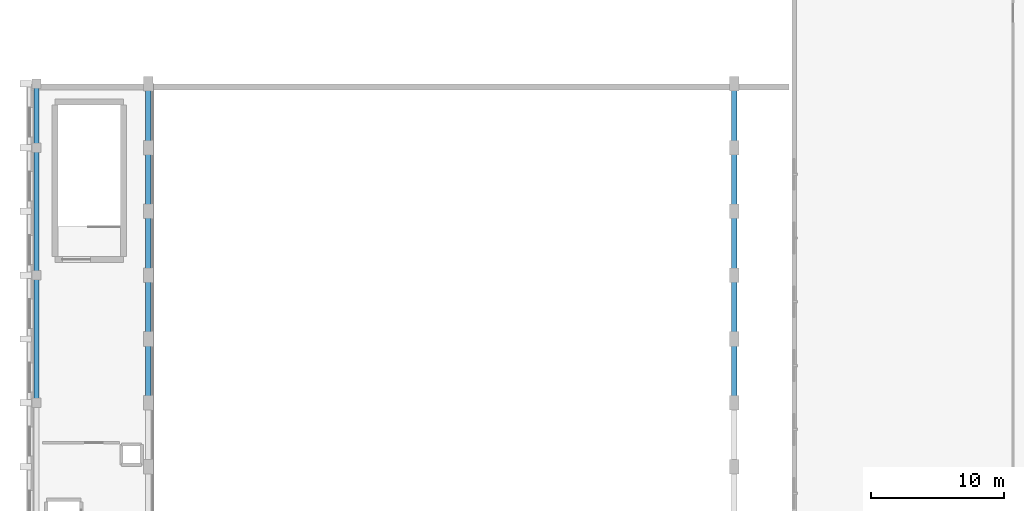
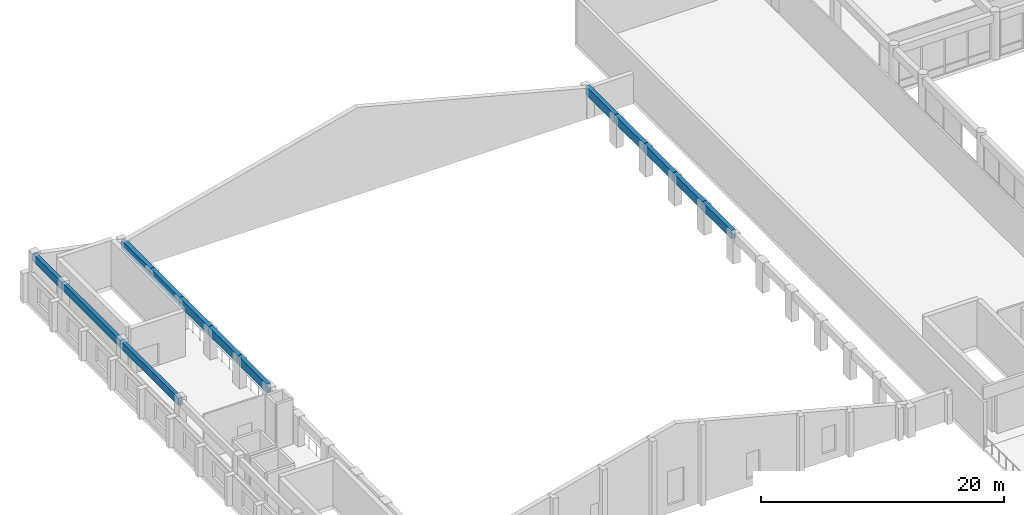
# One storey, part 17 of 101: 13 beams.
"""IFC4 building model written with IfcOpenShell, lengths in metres."""

from ifc_helpers import new_model, si_unit, direction, frame, origin, origin_2d, place, context, subcontext, project, spatial, rectangle, extrude, material, material_profile, profile_set, type_object, element, save


model = new_model("IFC4")

# Units and contexts
model_context = context("Model", 3, precision=1e-05, world=origin(), true_north=direction((0.0, 1.0)))
body_context = subcontext(model_context, "Body", "Model", "MODEL_VIEW")
ifc_project = project(units=[si_unit("LENGTHUNIT", "METRE"), si_unit("AREAUNIT", "SQUARE_METRE"), si_unit("VOLUMEUNIT", "CUBIC_METRE"), si_unit("PLANEANGLEUNIT", "RADIAN"), si_unit("MASSUNIT", "GRAM", prefix="KILO")], contexts=[model_context])

# Site, building, storey
site_placement = place(None, origin())
site = spatial("IfcSite", under=ifc_project, at=site_placement, CompositionType="ELEMENT")
building_placement = place(site_placement, origin())
building = spatial("IfcBuilding", under=site, at=building_placement, Name="Nakhvara Creek Congress Hotel", CompositionType="ELEMENT")
storey_placement = place(building_placement, frame((0.0, 0.0, 16.199951171875)))
storey = spatial("IfcBuildingStorey", under=building, at=storey_placement, Name="L03", CompositionType="ELEMENT", Elevation=16.199951171875)

# Beams
ifc_material_1 = material(Name="Concrete C40/50", Category="concrete")
ifc_material_profile_1 = material_profile(ifc_material_1, rectangle(XDim=0.35009765625, YDim=0.75, at=origin_2d()), Name="RC-SPANDREL 350x750", Category="LoadBearing")
ifc_profile_set_1 = profile_set([ifc_material_profile_1], Name="Concrete C40/50")
beam_type_1 = type_object("IfcBeamType", Name="BM-SPN-350X750", PredefinedType="SPANDREL", material=ifc_profile_set_1)
for number, where, z_axis, x_axis, name in (
    (1, (0.75, 62.39990234375, 4.1650390625), (0.0, 1.0, 0.0), (-1.0, 0.0, 0.0), "Beam SP1-L03-1697"),
    (2, (0.75, 72.0, 4.1650390625), (0.0, 1.0, 0.0), (-1.0, 0.0, 0.0), "Beam SP1-L03-1698"),
):
    element("IfcBeam", number, at=place(storey_placement, frame(where, z_axis=z_axis, x_axis=x_axis)), inside=storey, type_object=beam_type_1, Name=name, PredefinedType="SPANDREL", context=body_context, shape_type="SweptSolid", body=[
        extrude(rectangle(XDim=0.35009765625, YDim=0.75, at=origin_2d()), origin(), (0.0, 0.0, 1.0), 9.60009765625),
    ])
beam_1_placement = place(storey_placement, frame((0.75, 81.60009765625, 4.1650390625), z_axis=(0.0, 1.0, 0.0), x_axis=(-1.0, 0.0, 0.0)))
element("IfcBeam", 3, at=beam_1_placement, inside=storey, type_object=beam_type_1, Name="Beam SP1-L03-1699", PredefinedType="SPANDREL", context=body_context, shape_type="SweptSolid", body=[
    extrude(rectangle(XDim=0.35009765625, YDim=0.75, at=origin_2d()), origin(), (0.0, 0.0, 1.0), 4.7998046875),
])
ifc_material_2 = material(Name="Concrete C50/60", Category="concrete")
ifc_material_profile_2 = material_profile(ifc_material_2, rectangle(XDim=0.39990234375, YDim=0.85009765625, at=origin_2d()), Name="RC-SPANDREL 400x850", Category="LoadBearing")
ifc_profile_set_2 = profile_set([ifc_material_profile_2], Name="Concrete C50/60")
beam_type_2 = type_object("IfcBeamType", Name="BM-SPN-400X850", PredefinedType="SPANDREL", material=ifc_profile_set_2)
for number, where, z_axis, x_axis, name in (
    (4, (9.14990234375, 62.39990234375, 2.574951171875), (0.0, 1.0, 0.0), (-1.0, 0.0, 0.0), "Congress Hall Roof Ring Beam W-07"),
    (5, (9.14990234375, 67.199951171875, 2.574951171875), (0.0, 1.0, 0.0), (-1.0, 0.0, 0.0), "Congress Hall Roof Ring Beam W-08"),
    (6, (9.14990234375, 72.0, 2.574951171875), (0.0, 1.0, 0.0), (-1.0, 0.0, 0.0), "Congress Hall Roof Ring Beam W-09"),
    (7, (9.14990234375, 76.800048828125, 2.574951171875), (0.0, 1.0, 0.0), (-1.0, 0.0, 0.0), "Congress Hall Roof Ring Beam W-10"),
):
    element("IfcBeam", number, at=place(storey_placement, frame(where, z_axis=z_axis, x_axis=x_axis)), inside=storey, type_object=beam_type_2, Name=name, PredefinedType="SPANDREL", context=body_context, shape_type="SweptSolid", body=[
        extrude(rectangle(XDim=0.39990234375, YDim=0.85009765625, at=origin_2d()), origin(), (0.0, 0.0, 1.0), 4.800048828125),
    ])
beam_2_placement = place(storey_placement, frame((9.14990234375, 81.60009765625, 2.574951171875), z_axis=(0.0, 1.0, 0.0), x_axis=(-1.0, 0.0, 0.0)))
element("IfcBeam", 8, at=beam_2_placement, inside=storey, type_object=beam_type_2, Name="Congress Hall Roof Ring Beam W-11", PredefinedType="SPANDREL", context=body_context, shape_type="SweptSolid", body=[
    extrude(rectangle(XDim=0.39990234375, YDim=0.85009765625, at=origin_2d()), origin(), (0.0, 0.0, 1.0), 4.7998046875),
])
for number, where, z_axis, x_axis, name in (
    (9, (53.25, 62.39990234375, 2.574951171875), (0.0, 1.0, 0.0), (-1.0, 0.0, 0.0), "Congress Hall Roof Ring Beam E-07"),
    (10, (53.25, 67.199951171875, 2.574951171875), (0.0, 1.0, 0.0), (-1.0, 0.0, 0.0), "Congress Hall Roof Ring Beam E-08"),
    (11, (53.25, 72.0, 2.574951171875), (0.0, 1.0, 0.0), (-1.0, 0.0, 0.0), "Congress Hall Roof Ring Beam E-09"),
    (12, (53.25, 76.800048828125, 2.574951171875), (0.0, 1.0, 0.0), (-1.0, 0.0, 0.0), "Congress Hall Roof Ring Beam E-10"),
):
    element("IfcBeam", number, at=place(storey_placement, frame(where, z_axis=z_axis, x_axis=x_axis)), inside=storey, type_object=beam_type_2, Name=name, PredefinedType="SPANDREL", context=body_context, shape_type="SweptSolid", body=[
        extrude(rectangle(XDim=0.39990234375, YDim=0.85009765625, at=origin_2d()), origin(), (0.0, 0.0, 1.0), 4.800048828125),
    ])
beam_3_placement = place(storey_placement, frame((53.25, 81.60009765625, 2.574951171875), z_axis=(0.0, 1.0, 0.0), x_axis=(-1.0, 0.0, 0.0)))
element("IfcBeam", 13, at=beam_3_placement, inside=storey, type_object=beam_type_2, Name="Congress Hall Roof Ring Beam E-11", PredefinedType="SPANDREL", context=body_context, shape_type="SweptSolid", body=[
    extrude(rectangle(XDim=0.39990234375, YDim=0.85009765625, at=origin_2d()), origin(), (0.0, 0.0, 1.0), 4.7998046875),
])

save(model, "model.ifc")
